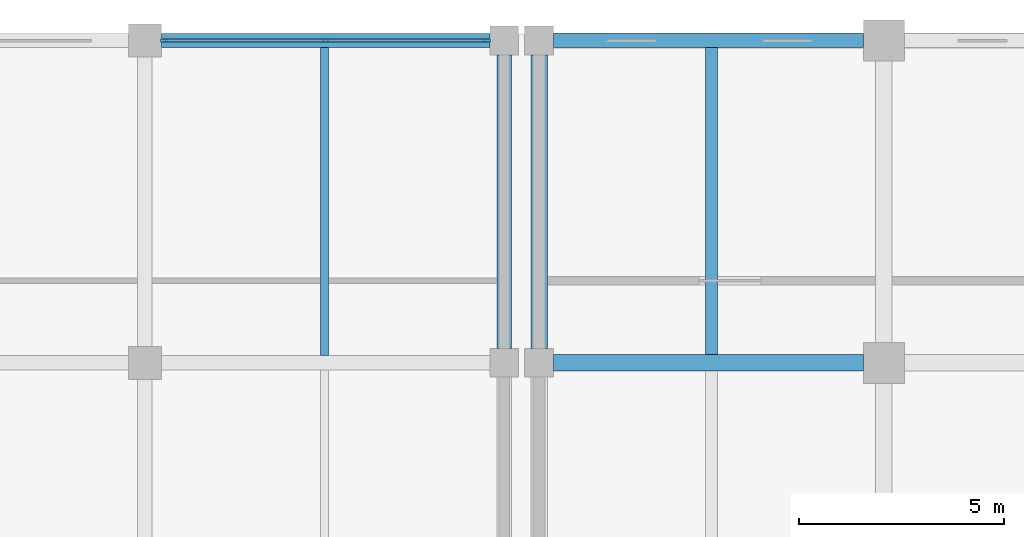
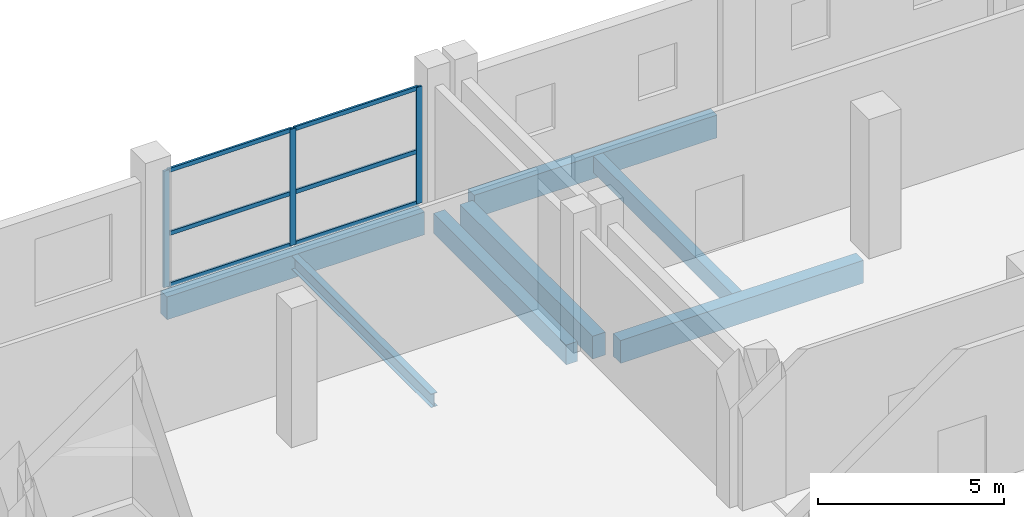
# One storey, part 14 of 31: 9 members, 7 beams, 1 element without a shape of its own.
"""IFC4 building model written with IfcOpenShell, lengths in metres."""

from ifc_helpers import new_model, si_unit, direction, frame, origin, origin_2d, place, context, subcontext, project, spatial, rectangle, i_section, extrude, material, material_profile, profile_set, type_object, element, aggregate, save


model = new_model("IFC4")

# Units and contexts
model_context = context("Model", 3, precision=1e-05, world=origin(), true_north=direction((0.0, 1.0)))
body_context = subcontext(model_context, "Body", "Model", "MODEL_VIEW")
ifc_project = project(units=[si_unit("LENGTHUNIT", "METRE"), si_unit("AREAUNIT", "SQUARE_METRE"), si_unit("VOLUMEUNIT", "CUBIC_METRE"), si_unit("PLANEANGLEUNIT", "RADIAN"), si_unit("MASSUNIT", "GRAM", prefix="KILO")], contexts=[model_context])

# Site, building, storey
site_placement = place(None, origin())
site = spatial("IfcSite", under=ifc_project, at=site_placement, CompositionType="ELEMENT")
building_placement = place(site_placement, origin())
building = spatial("IfcBuilding", under=site, at=building_placement, Name="Brinegate Botanical Conservatory", CompositionType="ELEMENT")
storey_placement = place(building_placement, frame((0.0, 0.0, 5.39990234375)))
storey = spatial("IfcBuildingStorey", under=building, at=storey_placement, Name="L02", CompositionType="ELEMENT", Elevation=5.39990234375)

# Beams
ifc_material_1 = material(Name="Concrete C50/60", Category="concrete")
ifc_material_profile_1 = material_profile(ifc_material_1, rectangle(XDim=0.39990234375, YDim=0.75, at=origin_2d()), Name="RC BM 400x750")
ifc_profile_set_1 = profile_set([ifc_material_profile_1], Name="Concrete C50/60")
beam_type_1 = type_object("IfcBeamType", Name="Beam_BM-T1", PredefinedType="BEAM", material=ifc_profile_set_1)
beam_1_placement = place(storey_placement, frame((122.35009765625, 103.60009765625, -0.594970703125), z_axis=(1.0, 0.0, 0.0), x_axis=(0.0, 1.0, 0.0)))
element("IfcBeam", 1, at=beam_1_placement, inside=storey, type_object=beam_type_1, Name="Beam BM-T1 L02 N:16-17", PredefinedType="BEAM", context=body_context, shape_type="SweptSolid", body=[
    extrude(rectangle(XDim=0.39990234375, YDim=0.75, at=origin_2d()), origin(), (0.0, 0.0, 1.0), 7.5498046875),
])
beam_2_placement = place(storey_placement, frame((122.0, 103.949951171875, -0.594970703125), z_axis=(0.0, 1.0, 0.0), x_axis=(-1.0, 0.0, 0.0)))
element("IfcBeam", 2, at=beam_2_placement, inside=storey, type_object=beam_type_1, Name="Beam BM-T1 L02 16:N-P", PredefinedType="BEAM", context=body_context, shape_type="SweptSolid", body=[
    extrude(rectangle(XDim=0.39990234375, YDim=0.75, at=origin_2d()), origin(), (0.0, 0.0, 1.0), 7.150146484375),
])
ifc_material_2 = material(Name="Concrete C40/50", Category="concrete")
ifc_material_profile_2 = material_profile(ifc_material_2, rectangle(XDim=0.35009765625, YDim=0.64990234375, at=origin_2d()), Name="RC BM 350x650")
ifc_profile_set_2 = profile_set([ifc_material_profile_2], Name="Concrete C40/50")
beam_type_2 = type_object("IfcBeamType", Name="Beam_BM-V3", PredefinedType="BEAM", material=ifc_profile_set_2)
beam_3_placement = place(storey_placement, frame((121.14990234375, 103.949951171875, -0.544921875), z_axis=(0.0, 1.0, 0.0), x_axis=(-1.0, 0.0, 0.0)))
element("IfcBeam", 3, at=beam_3_placement, inside=storey, type_object=beam_type_2, Name="Beam BM-V3 L02 15:N-P", PredefinedType="BEAM", context=body_context, shape_type="SweptSolid", body=[
    extrude(rectangle(XDim=0.35009765625, YDim=0.64990234375, at=origin_2d()), origin(), (0.0, 0.0, 1.0), 7.150146484375),
])
ifc_material_profile_3 = material_profile(ifc_material_2, rectangle(XDim=0.300048828125, YDim=0.550048828125, at=origin_2d()), Name="RC JST 300x550")
ifc_profile_set_3 = profile_set([ifc_material_profile_3], Name="Concrete C40/50")
beam_type_3 = type_object("IfcBeamType", Name="Beam_JS-C1", PredefinedType="JOIST", material=ifc_profile_set_3)
beam_4_placement = place(storey_placement, frame((126.199951171875, 103.800048828125, -0.494873046875), z_axis=(0.0, 1.0, 0.0), x_axis=(-1.0, 0.0, 0.0)))
element("IfcBeam", 4, at=beam_4_placement, inside=storey, type_object=beam_type_3, Name="Floor joist JS-C1 L02 bay 16.13", PredefinedType="JOIST", context=body_context, shape_type="SweptSolid", body=[
    extrude(rectangle(XDim=0.300048828125, YDim=0.550048828125, at=origin_2d()), origin(), (0.0, 0.0, 1.0), 7.474853515625),
])
ifc_material_3 = material(Name="Structural steel Q355B / S355", Category="steel")
ifc_material_profile_4 = material_profile(ifc_material_3, i_section(OverallWidth=0.199951171875, OverallDepth=0.449951171875, WebThickness=0.009033203125, FlangeThickness=0.013916015625, at=origin_2d()), Name="HN 450x200x9x14")
ifc_profile_set_4 = profile_set([ifc_material_profile_4], Name="Structural steel Q355B / S355")
beam_type_4 = type_object("IfcBeamType", Name="Beam_JS-S1", PredefinedType="JOIST", material=ifc_profile_set_4)
beam_5_placement = place(storey_placement, frame((116.77490234375, 103.77490234375, -0.44482421875), z_axis=(0.0, 1.0, 0.0), x_axis=(-1.0, 0.0, 0.0)))
element("IfcBeam", 5, at=beam_5_placement, inside=storey, type_object=beam_type_4, Name="Floor joist JS-S1 L02 bay 14.13", PredefinedType="JOIST", context=body_context, shape_type="SweptSolid", body=[
    extrude(i_section(OverallWidth=0.199951171875, OverallDepth=0.449951171875, WebThickness=0.009033203125, FlangeThickness=0.013916015625, at=origin_2d()), origin(), (0.0, 0.0, 1.0), 7.5),
])
ifc_material_profile_5 = material_profile(ifc_material_2, rectangle(XDim=0.35009765625, YDim=0.75, at=origin_2d()), Name="RC SPN 350x750")
ifc_profile_set_5 = profile_set([ifc_material_profile_5], Name="Concrete C40/50")
beam_type_5 = type_object("IfcBeamType", Name="Beam_SP-01", PredefinedType="SPANDREL", material=ifc_profile_set_5)
beam_6_placement = place(storey_placement, frame((112.800048828125, 111.449951171875, -0.594970703125), z_axis=(1.0, 0.0, 0.0), x_axis=(0.0, 1.0, 0.0)))
element("IfcBeam", 6, at=beam_6_placement, inside=storey, type_object=beam_type_5, Name="Beam SP-01 L02 P:14-15", PredefinedType="SPANDREL", context=body_context, shape_type="SweptSolid", body=[
    extrude(rectangle(XDim=0.35009765625, YDim=0.75, at=origin_2d()), origin(), (0.0, 0.0, 1.0), 8.0),
])
beam_7_placement = place(storey_placement, frame((122.35009765625, 111.449951171875, -0.594970703125), z_axis=(1.0, 0.0, 0.0), x_axis=(0.0, 1.0, 0.0)))
element("IfcBeam", 7, at=beam_7_placement, inside=storey, type_object=beam_type_5, Name="Beam SP-01 L02 P:16-17", PredefinedType="SPANDREL", context=body_context, shape_type="SweptSolid", body=[
    extrude(rectangle(XDim=0.35009765625, YDim=0.75, at=origin_2d()), origin(), (0.0, 0.0, 1.0), 7.5498046875),
])

# Curtain wall, members
ifc_material_4 = material(Name="Thermally broken anodised aluminium AW-6063-T6", Category="aluminium")
curtain_wall_type = type_object("IfcCurtainWallType", Name="CW_CW-V3", PredefinedType="USERDEFINED", material=ifc_material_4)
curtain_wall_placement = place(storey_placement, origin())
curtain_wall = element("IfcCurtainWall", 8, at=curtain_wall_placement, inside=storey, type_object=curtain_wall_type, Name="Visitor north factory curtain wall L02.8", ObjectType="FACTORY CURTAIN WALL", PredefinedType="USERDEFINED")
ifc_material_profile_6 = material_profile(ifc_material_4, rectangle(XDim=0.06494140625, YDim=0.179931640625, at=origin_2d()), Name="ALUM MULLION 65x180")
ifc_profile_set_6 = profile_set([ifc_material_profile_6], Name="Thermally broken anodised aluminium AW-6063-T6")
member_type_1 = type_object("IfcMemberType", Name="Member_ML-02", PredefinedType="MULLION", material=ifc_profile_set_6)
member_1_placement = place(storey_placement, frame((112.87255859375, 111.449951171875, 0.0), z_axis=(0.0, 0.0, 1.0), x_axis=(0.0, 1.0, 0.0)))
member_1 = element("IfcMember", 9, at=member_1_placement, type_object=member_type_1, Name="CW-V3 mullion 1", PredefinedType="MULLION", context=body_context, shape_type="SweptSolid", body=[
    extrude(rectangle(XDim=0.06494140625, YDim=0.179931640625, at=origin_2d()), origin(), (0.0, 0.0, 1.0), 3.830078125),
])
member_2_placement = place(storey_placement, frame((116.800048828125, 111.449951171875, 0.0), z_axis=(0.0, 0.0, 1.0), x_axis=(0.0, 1.0, 0.0)))
member_2 = element("IfcMember", 10, at=member_2_placement, type_object=member_type_1, Name="CW-V3 mullion 2", PredefinedType="MULLION", context=body_context, shape_type="SweptSolid", body=[
    extrude(rectangle(XDim=0.06494140625, YDim=0.179931640625, at=origin_2d()), origin(), (0.0, 0.0, 1.0), 3.830078125),
])
member_3_placement = place(storey_placement, frame((120.7275390625, 111.449951171875, 0.0), z_axis=(0.0, 0.0, 1.0), x_axis=(0.0, 1.0, 0.0)))
member_3 = element("IfcMember", 11, at=member_3_placement, type_object=member_type_1, Name="CW-V3 mullion 3", PredefinedType="MULLION", context=body_context, shape_type="SweptSolid", body=[
    extrude(rectangle(XDim=0.06494140625, YDim=0.179931640625, at=origin_2d()), origin(), (0.0, 0.0, 1.0), 3.830078125),
])
ifc_material_profile_7 = material_profile(ifc_material_4, rectangle(XDim=0.06494140625, YDim=0.135009765625, at=origin_2d()), Name="ALUM TRANSOM 65x135")
ifc_profile_set_7 = profile_set([ifc_material_profile_7], Name="Thermally broken anodised aluminium AW-6063-T6")
member_type_2 = type_object("IfcMemberType", Name="Member_TR-02", PredefinedType="USERDEFINED", material=ifc_profile_set_7)
member_4_placement = place(storey_placement, frame((112.905029296875, 111.449951171875, 0.03271484375), z_axis=(1.0, 0.0, 0.0), x_axis=(0.0, 1.0, 0.0)))
member_4 = element("IfcMember", 12, at=member_4_placement, type_object=member_type_2, Name="CW-V3 transom 1.1", ObjectType="TRANSOM", PredefinedType="USERDEFINED", context=body_context, shape_type="SweptSolid", body=[
    extrude(rectangle(XDim=0.06494140625, YDim=0.135009765625, at=origin_2d()), origin(), (0.0, 0.0, 1.0), 3.862548828125),
])
member_5_placement = place(storey_placement, frame((112.905029296875, 111.449951171875, 1.72314453125), z_axis=(1.0, 0.0, 0.0), x_axis=(0.0, 1.0, 0.0)))
member_5 = element("IfcMember", 13, at=member_5_placement, type_object=member_type_2, Name="CW-V3 transom 1.2", ObjectType="TRANSOM", PredefinedType="USERDEFINED", context=body_context, shape_type="SweptSolid", body=[
    extrude(rectangle(XDim=0.06494140625, YDim=0.135009765625, at=origin_2d()), origin(), (0.0, 0.0, 1.0), 3.862548828125),
])
member_6_placement = place(storey_placement, frame((112.905029296875, 111.449951171875, 3.797607421875), z_axis=(1.0, 0.0, 0.0), x_axis=(0.0, 1.0, 0.0)))
member_6 = element("IfcMember", 14, at=member_6_placement, type_object=member_type_2, Name="CW-V3 transom 1.3", ObjectType="TRANSOM", PredefinedType="USERDEFINED", context=body_context, shape_type="SweptSolid", body=[
    extrude(rectangle(XDim=0.06494140625, YDim=0.135009765625, at=origin_2d()), origin(), (0.0, 0.0, 1.0), 3.862548828125),
])
member_7_placement = place(storey_placement, frame((116.83251953125, 111.449951171875, 0.03271484375), z_axis=(1.0, 0.0, 0.0), x_axis=(0.0, 1.0, 0.0)))
member_7 = element("IfcMember", 15, at=member_7_placement, type_object=member_type_2, Name="CW-V3 transom 2.1", ObjectType="TRANSOM", PredefinedType="USERDEFINED", context=body_context, shape_type="SweptSolid", body=[
    extrude(rectangle(XDim=0.06494140625, YDim=0.135009765625, at=origin_2d()), origin(), (0.0, 0.0, 1.0), 3.862548828125),
])
member_8_placement = place(storey_placement, frame((116.83251953125, 111.449951171875, 1.72314453125), z_axis=(1.0, 0.0, 0.0), x_axis=(0.0, 1.0, 0.0)))
member_8 = element("IfcMember", 16, at=member_8_placement, type_object=member_type_2, Name="CW-V3 transom 2.2", ObjectType="TRANSOM", PredefinedType="USERDEFINED", context=body_context, shape_type="SweptSolid", body=[
    extrude(rectangle(XDim=0.06494140625, YDim=0.135009765625, at=origin_2d()), origin(), (0.0, 0.0, 1.0), 3.862548828125),
])
member_9_placement = place(storey_placement, frame((116.83251953125, 111.449951171875, 3.797607421875), z_axis=(1.0, 0.0, 0.0), x_axis=(0.0, 1.0, 0.0)))
member_9 = element("IfcMember", 17, at=member_9_placement, type_object=member_type_2, Name="CW-V3 transom 2.3", ObjectType="TRANSOM", PredefinedType="USERDEFINED", context=body_context, shape_type="SweptSolid", body=[
    extrude(rectangle(XDim=0.06494140625, YDim=0.135009765625, at=origin_2d()), origin(), (0.0, 0.0, 1.0), 3.862548828125),
])
aggregate(curtain_wall, [member_1, member_2, member_3, member_4, member_5, member_6, member_7, member_8, member_9])

save(model, "model.ifc")
